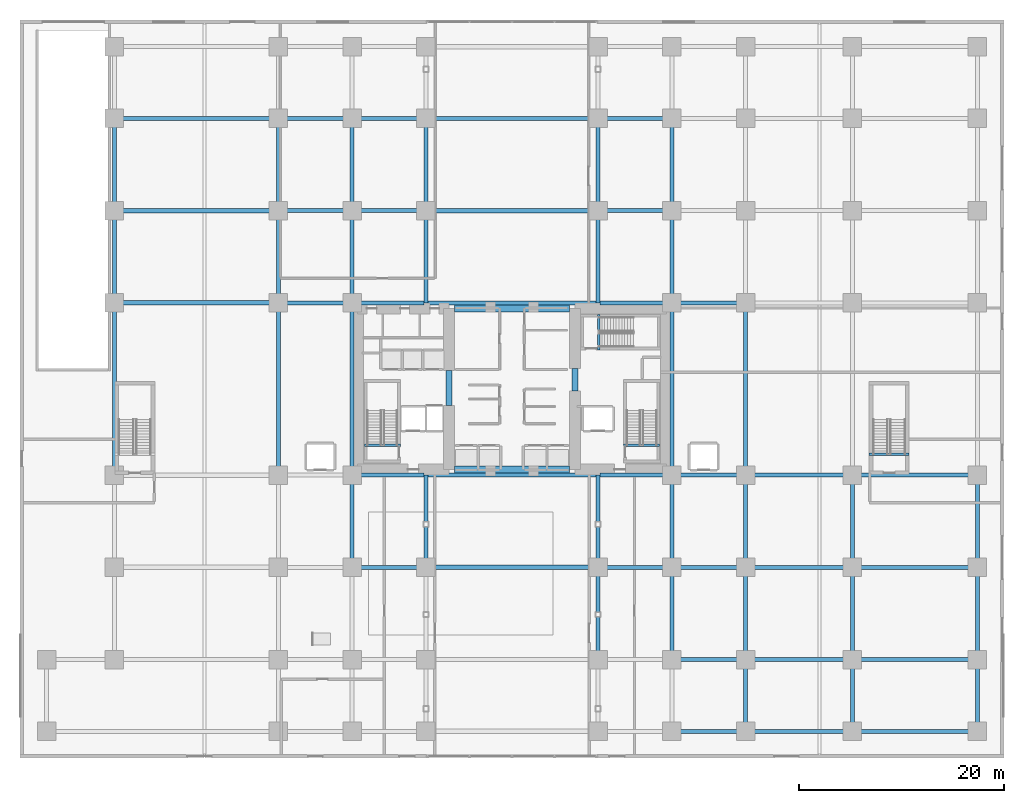
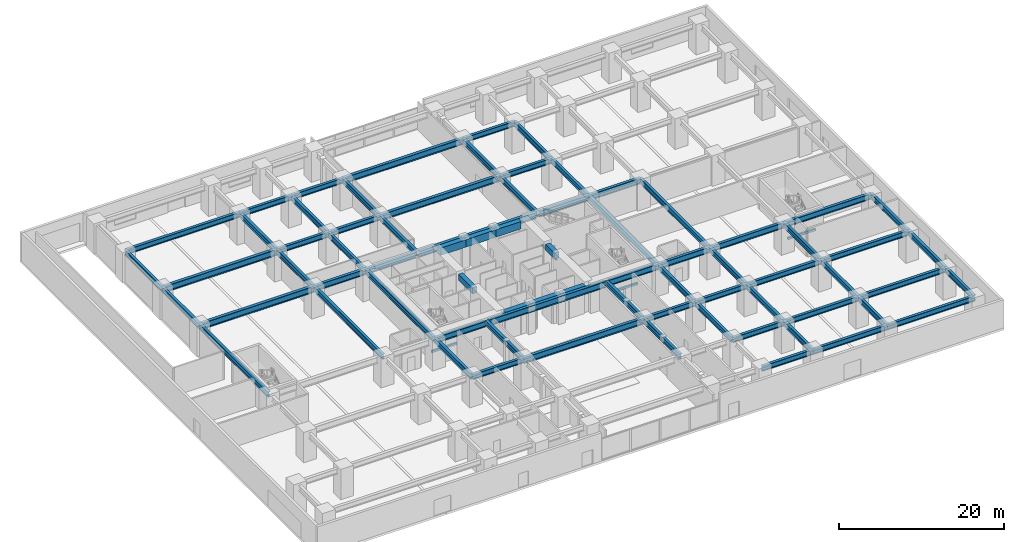
# One storey, part 8 of 26: 78 beams.
"""IFC4 building model written with IfcOpenShell, lengths in metres."""

from ifc_helpers import new_model, si_unit, direction, frame, origin, origin_2d, place, context, subcontext, project, spatial, rectangle, i_section, extrude, material, material_profile, profile_set, type_object, element, save


model = new_model("IFC4")

# Units and contexts
model_context = context("Model", 3, precision=1e-05, world=origin(), true_north=direction((0.0, 1.0)))
body_context = subcontext(model_context, "Body", "Model", "MODEL_VIEW")
ifc_project = project(units=[si_unit("LENGTHUNIT", "METRE"), si_unit("AREAUNIT", "SQUARE_METRE"), si_unit("VOLUMEUNIT", "CUBIC_METRE"), si_unit("PLANEANGLEUNIT", "RADIAN"), si_unit("MASSUNIT", "GRAM", prefix="KILO")], contexts=[model_context])

# Site, building, storey
site_placement = place(None, origin())
site = spatial("IfcSite", under=ifc_project, at=site_placement, CompositionType="ELEMENT")
building_placement = place(site_placement, origin())
building = spatial("IfcBuilding", under=site, at=building_placement, Name="Kiyonajd Concourse Tower", CompositionType="ELEMENT")
storey_placement = place(building_placement, origin())
storey = spatial("IfcBuildingStorey", under=building, at=storey_placement, Name="L01", CompositionType="ELEMENT", Elevation=0.0)

# Beams
ifc_material_1 = material(Name="Steel ASTM A992 Grade 50", Category="steel")
ifc_material_profile_1 = material_profile(ifc_material_1, i_section(OverallWidth=0.423095703125, OverallDepth=0.93310546875, WebThickness=0.02392578125, FlangeThickness=0.042724609375, at=origin_2d()), Name="W920X446")
ifc_profile_set_1 = profile_set([ifc_material_profile_1], Name="Steel ASTM A992 Grade 50")
beam_type_1 = type_object("IfcBeamType", Name="BM-AUD-920A", PredefinedType="BEAM", material=ifc_profile_set_1)
for number, where, z_axis, x_axis, name in (
    (1, (9.199951171875, 44.39990234375, 3.71337890625), (1.0, 0.0, 0.0), (0.0, 1.0, 0.0), "L01 Auditorium Clear Span Girder"),
    (2, (9.199951171875, 53.39990234375, 3.71337890625), (1.0, 0.0, 0.0), (0.0, 1.0, 0.0), "L01 Auditorium Clear Span Girder"),
):
    element("IfcBeam", number, at=place(storey_placement, frame(where, z_axis=z_axis, x_axis=x_axis)), inside=storey, type_object=beam_type_1, Name=name, PredefinedType="BEAM", context=body_context, shape_type="SweptSolid", body=[
        extrude(i_section(OverallWidth=0.423095703125, OverallDepth=0.93310546875, WebThickness=0.02392578125, FlangeThickness=0.042724609375, at=origin_2d()), origin(), (0.0, 0.0, 1.0), 16.0),
    ])
ifc_material_profile_2 = material_profile(ifc_material_1, i_section(OverallWidth=0.41796875, OverallDepth=0.912109375, WebThickness=0.019287109375, FlangeThickness=0.031982421875, at=origin_2d()), Name="W920X342")
ifc_profile_set_2 = profile_set([ifc_material_profile_2], Name="Steel ASTM A992 Grade 50")
beam_type_2 = type_object("IfcBeamType", Name="BM-CON-920B", PredefinedType="BEAM", material=ifc_profile_set_2)
beam_1_placement = place(storey_placement, frame((39.60009765625, 18.60009765625, 3.72412109375), z_axis=(1.0, 0.0, 0.0), x_axis=(0.0, 1.0, 0.0)))
element("IfcBeam", 3, at=beam_1_placement, inside=storey, type_object=beam_type_2, Name="L01 Concourse Clear Span Girder", PredefinedType="BEAM", context=body_context, shape_type="SweptSolid", body=[
    extrude(i_section(OverallWidth=0.41796875, OverallDepth=0.912109375, WebThickness=0.019287109375, FlangeThickness=0.031982421875, at=origin_2d()), origin(), (0.0, 0.0, 1.0), 16.7998046875),
])
for number, where, z_axis, x_axis, name in (
    (4, (39.79052734375, 27.60009765625, 3.72412109375), (1.0, 0.0, 0.0), (0.0, 1.0, 0.0), "L01 Concourse Clear Span Girder"),
    (5, (39.79052734375, 44.39990234375, 3.72412109375), (1.0, 0.0, 0.0), (0.0, 1.0, 0.0), "L01 Concourse Clear Span Girder"),
):
    element("IfcBeam", number, at=place(storey_placement, frame(where, z_axis=z_axis, x_axis=x_axis)), inside=storey, type_object=beam_type_2, Name=name, PredefinedType="BEAM", context=body_context, shape_type="SweptSolid", body=[
        extrude(i_section(OverallWidth=0.41796875, OverallDepth=0.912109375, WebThickness=0.019287109375, FlangeThickness=0.031982421875, at=origin_2d()), origin(), (0.0, 0.0, 1.0), 16.4189453125),
    ])
for number, where, z_axis, x_axis, name in (
    (6, (39.60009765625, 53.39990234375, 3.72412109375), (1.0, 0.0, 0.0), (0.0, 1.0, 0.0), "L01 Concourse Clear Span Girder"),
    (7, (39.60009765625, 62.39990234375, 3.72412109375), (1.0, 0.0, 0.0), (0.0, 1.0, 0.0), "L01 Concourse Clear Span Girder"),
):
    element("IfcBeam", number, at=place(storey_placement, frame(where, z_axis=z_axis, x_axis=x_axis)), inside=storey, type_object=beam_type_2, Name=name, PredefinedType="BEAM", context=body_context, shape_type="SweptSolid", body=[
        extrude(i_section(OverallWidth=0.41796875, OverallDepth=0.912109375, WebThickness=0.019287109375, FlangeThickness=0.031982421875, at=origin_2d()), origin(), (0.0, 0.0, 1.0), 16.7998046875),
    ])
ifc_material_2 = material(Name="Concrete C70/85", Category="concrete")
ifc_material_profile_3 = material_profile(ifc_material_2, rectangle(XDim=0.699951171875, YDim=1.10009765625, at=origin_2d()), Name="RCBM-700x1100")
ifc_profile_set_3 = profile_set([ifc_material_profile_3], Name="Concrete C70/85")
beam_type_3 = type_object("IfcBeamType", Name="BM-COUP-1100", PredefinedType="LINTEL", material=ifc_profile_set_3)
beam_2_placement = place(storey_placement, frame((42.39990234375, 28.14990234375, 3.6298828125), z_axis=(1.0, 0.0, 0.0), x_axis=(0.0, 1.0, 0.0)))
element("IfcBeam", 8, at=beam_2_placement, inside=storey, type_object=beam_type_3, Name="L01 Core Coupling Beam S1", PredefinedType="LINTEL", context=body_context, shape_type="SweptSolid", body=[
    extrude(rectangle(XDim=0.699951171875, YDim=1.10009765625, at=origin_2d()), origin(), (0.0, 0.0, 1.0), 3.5),
])
beam_3_placement = place(storey_placement, frame((45.89990234375, 28.14990234375, 3.6298828125), z_axis=(1.0, 0.0, 0.0), x_axis=(0.0, 1.0, 0.0)))
element("IfcBeam", 9, at=beam_3_placement, inside=storey, type_object=beam_type_3, Name="L01 Core Coupling Beam S2", PredefinedType="LINTEL", context=body_context, shape_type="SweptSolid", body=[
    extrude(rectangle(XDim=0.699951171875, YDim=1.10009765625, at=origin_2d()), origin(), (0.0, 0.0, 1.0), 4.2001953125),
])
for number, where, z_axis, x_axis, name in (
    (10, (50.10009765625, 28.14990234375, 3.6298828125), (1.0, 0.0, 0.0), (0.0, 1.0, 0.0), "L01 Core Coupling Beam S3"),
    (11, (42.39990234375, 43.85009765625, 3.6298828125), (1.0, 0.0, 0.0), (0.0, 1.0, 0.0), "L01 Core Coupling Beam N1"),
):
    element("IfcBeam", number, at=place(storey_placement, frame(where, z_axis=z_axis, x_axis=x_axis)), inside=storey, type_object=beam_type_3, Name=name, PredefinedType="LINTEL", context=body_context, shape_type="SweptSolid", body=[
        extrude(rectangle(XDim=0.699951171875, YDim=1.10009765625, at=origin_2d()), origin(), (0.0, 0.0, 1.0), 3.5),
    ])
beam_4_placement = place(storey_placement, frame((45.89990234375, 43.85009765625, 3.6298828125), z_axis=(1.0, 0.0, 0.0), x_axis=(0.0, 1.0, 0.0)))
element("IfcBeam", 12, at=beam_4_placement, inside=storey, type_object=beam_type_3, Name="L01 Core Coupling Beam N2", PredefinedType="LINTEL", context=body_context, shape_type="SweptSolid", body=[
    extrude(rectangle(XDim=0.699951171875, YDim=1.10009765625, at=origin_2d()), origin(), (0.0, 0.0, 1.0), 4.2001953125),
])
beam_5_placement = place(storey_placement, frame((50.10009765625, 43.85009765625, 3.6298828125), z_axis=(1.0, 0.0, 0.0), x_axis=(0.0, 1.0, 0.0)))
element("IfcBeam", 13, at=beam_5_placement, inside=storey, type_object=beam_type_3, Name="L01 Core Coupling Beam N3", PredefinedType="LINTEL", context=body_context, shape_type="SweptSolid", body=[
    extrude(rectangle(XDim=0.699951171875, YDim=1.10009765625, at=origin_2d()), origin(), (0.0, 0.0, 1.0), 3.5),
])
ifc_material_3 = material(Name="Concrete C60/75", Category="concrete")
ifc_material_profile_4 = material_profile(ifc_material_3, rectangle(XDim=0.60009765625, YDim=0.89990234375, at=origin_2d()), Name="RCBM-600x900")
ifc_profile_set_4 = profile_set([ifc_material_profile_4], Name="Concrete C60/75")
beam_type_4 = type_object("IfcBeamType", Name="BM-COUP-900", PredefinedType="LINTEL", material=ifc_profile_set_4)
beam_6_placement = place(storey_placement, frame((41.85009765625, 34.39990234375, 3.6298828125), z_axis=(0.0, 1.0, 0.0), x_axis=(-1.0, 0.0, 0.0)))
element("IfcBeam", 14, at=beam_6_placement, inside=storey, type_object=beam_type_4, Name="L01 West Core Throat Coupling Lintel", PredefinedType="LINTEL", context=body_context, shape_type="SweptSolid", body=[
    extrude(rectangle(XDim=0.60009765625, YDim=0.89990234375, at=origin_2d()), origin(), (0.0, 0.0, 1.0), 3.400146484375),
])
beam_7_placement = place(storey_placement, frame((54.14990234375, 35.800048828125, 3.6298828125), z_axis=(0.0, 1.0, 0.0), x_axis=(-1.0, 0.0, 0.0)))
element("IfcBeam", 15, at=beam_7_placement, inside=storey, type_object=beam_type_4, Name="L01 East Core Throat Coupling Lintel", PredefinedType="LINTEL", context=body_context, shape_type="SweptSolid", body=[
    extrude(rectangle(XDim=0.60009765625, YDim=0.89990234375, at=origin_2d()), origin(), (0.0, 0.0, 1.0), 2.199951171875),
])
ifc_material_4 = material(Name="Concrete C50/60", Category="concrete")
ifc_material_profile_5 = material_profile(ifc_material_4, rectangle(XDim=0.239990234375, YDim=0.320068359375, at=origin_2d()), Name="RCBM-240x320")
ifc_profile_set_5 = profile_set([ifc_material_profile_5], Name="Concrete C50/60")
beam_type_5 = type_object("IfcBeamType", Name="BM-LNT-250", PredefinedType="LINTEL", material=ifc_profile_set_5)
for number, where, z_axis, x_axis, name in (
    (16, (33.590087890625, 30.530029296875, -0.159912109375), (1.0, 0.0, 0.0), (0.0, 1.0, 0.0), "L01 Stair ST1 Threshold Support Beam"),
    (17, (58.889892578125, 30.530029296875, -0.159912109375), (1.0, 0.0, 0.0), (0.0, 1.0, 0.0), "L01 Stair ST2 Threshold Support Beam"),
):
    element("IfcBeam", number, at=place(storey_placement, frame(where, z_axis=z_axis, x_axis=x_axis)), inside=storey, type_object=beam_type_5, Name=name, PredefinedType="LINTEL", context=body_context, shape_type="SweptSolid", body=[
        extrude(rectangle(XDim=0.239990234375, YDim=0.320068359375, at=origin_2d()), origin(), (0.0, 0.0, 1.0), 3.52001953125),
    ])
beam_8_placement = place(storey_placement, frame((56.4599609375, 39.820068359375, -0.159912109375), z_axis=(0.0, 1.0, 0.0), x_axis=(-1.0, 0.0, 0.0)))
element("IfcBeam", 18, at=beam_8_placement, inside=storey, type_object=beam_type_5, Name="L01 Stair ST3 Threshold Support Beam", PredefinedType="LINTEL", context=body_context, shape_type="SweptSolid", body=[
    extrude(rectangle(XDim=0.239990234375, YDim=0.320068359375, at=origin_2d()), origin(), (0.0, 0.0, 1.0), 3.4599609375),
])
beam_9_placement = place(storey_placement, frame((82.85009765625, 29.6298828125, -0.159912109375), z_axis=(1.0, 0.0, 0.0), x_axis=(0.0, 1.0, 0.0)))
element("IfcBeam", 19, at=beam_9_placement, inside=storey, type_object=beam_type_5, Name="L01 Stair ST5 Threshold Support Beam", PredefinedType="LINTEL", context=body_context, shape_type="SweptSolid", body=[
    extrude(rectangle(XDim=0.239990234375, YDim=0.320068359375, at=origin_2d()), origin(), (0.0, 0.0, 1.0), 3.89990234375),
])
ifc_material_profile_6 = material_profile(ifc_material_1, i_section(OverallWidth=0.381103515625, OverallDepth=0.77294921875, WebThickness=0.0166015625, FlangeThickness=0.027099609375, at=origin_2d()), Name="W760X257")
ifc_profile_set_6 = profile_set([ifc_material_profile_6], Name="Steel ASTM A992 Grade 50")
beam_type_6 = type_object("IfcBeamType", Name="BM-POD-760", PredefinedType="BEAM", material=ifc_profile_set_6)
beam_10_placement = place(storey_placement, frame((63.60009765625, 2.60009765625, 3.79345703125), z_axis=(1.0, 0.0, 0.0), x_axis=(0.0, 1.0, 0.0)))
element("IfcBeam", 20, at=beam_10_placement, inside=storey, type_object=beam_type_6, Name="L01 Podium Primary Beam", PredefinedType="BEAM", context=body_context, shape_type="SweptSolid", body=[
    extrude(i_section(OverallWidth=0.381103515625, OverallDepth=0.77294921875, WebThickness=0.0166015625, FlangeThickness=0.027099609375, at=origin_2d()), origin(), (0.0, 0.0, 1.0), 7.199951171875),
])
beam_11_placement = place(storey_placement, frame((70.800048828125, 2.60009765625, 3.79345703125), z_axis=(1.0, 0.0, 0.0), x_axis=(0.0, 1.0, 0.0)))
element("IfcBeam", 21, at=beam_11_placement, inside=storey, type_object=beam_type_6, Name="L01 Podium Primary Beam", PredefinedType="BEAM", context=body_context, shape_type="SweptSolid", body=[
    extrude(i_section(OverallWidth=0.381103515625, OverallDepth=0.77294921875, WebThickness=0.0166015625, FlangeThickness=0.027099609375, at=origin_2d()), origin(), (0.0, 0.0, 1.0), 10.39990234375),
])
beam_12_placement = place(storey_placement, frame((81.199951171875, 2.60009765625, 3.79345703125), z_axis=(1.0, 0.0, 0.0), x_axis=(0.0, 1.0, 0.0)))
element("IfcBeam", 22, at=beam_12_placement, inside=storey, type_object=beam_type_6, Name="L01 Podium Primary Beam", PredefinedType="BEAM", context=body_context, shape_type="SweptSolid", body=[
    extrude(i_section(OverallWidth=0.381103515625, OverallDepth=0.77294921875, WebThickness=0.0166015625, FlangeThickness=0.027099609375, at=origin_2d()), origin(), (0.0, 0.0, 1.0), 12.199951171875),
])
beam_13_placement = place(storey_placement, frame((63.60009765625, 9.60009765625, 3.79345703125), z_axis=(1.0, 0.0, 0.0), x_axis=(0.0, 1.0, 0.0)))
element("IfcBeam", 23, at=beam_13_placement, inside=storey, type_object=beam_type_6, Name="L01 Podium Primary Beam", PredefinedType="BEAM", context=body_context, shape_type="SweptSolid", body=[
    extrude(i_section(OverallWidth=0.381103515625, OverallDepth=0.77294921875, WebThickness=0.0166015625, FlangeThickness=0.027099609375, at=origin_2d()), origin(), (0.0, 0.0, 1.0), 7.199951171875),
])
beam_14_placement = place(storey_placement, frame((70.800048828125, 9.60009765625, 3.79345703125), z_axis=(1.0, 0.0, 0.0), x_axis=(0.0, 1.0, 0.0)))
element("IfcBeam", 24, at=beam_14_placement, inside=storey, type_object=beam_type_6, Name="L01 Podium Primary Beam", PredefinedType="BEAM", context=body_context, shape_type="SweptSolid", body=[
    extrude(i_section(OverallWidth=0.381103515625, OverallDepth=0.77294921875, WebThickness=0.0166015625, FlangeThickness=0.027099609375, at=origin_2d()), origin(), (0.0, 0.0, 1.0), 10.39990234375),
])
beam_15_placement = place(storey_placement, frame((81.199951171875, 9.60009765625, 3.79345703125), z_axis=(1.0, 0.0, 0.0), x_axis=(0.0, 1.0, 0.0)))
element("IfcBeam", 25, at=beam_15_placement, inside=storey, type_object=beam_type_6, Name="L01 Podium Primary Beam", PredefinedType="BEAM", context=body_context, shape_type="SweptSolid", body=[
    extrude(i_section(OverallWidth=0.381103515625, OverallDepth=0.77294921875, WebThickness=0.0166015625, FlangeThickness=0.027099609375, at=origin_2d()), origin(), (0.0, 0.0, 1.0), 12.199951171875),
])
for number, where, z_axis, x_axis, name in (
    (26, (32.39990234375, 18.60009765625, 3.79345703125), (1.0, 0.0, 0.0), (0.0, 1.0, 0.0), "L01 Podium Primary Beam"),
    (27, (56.39990234375, 18.60009765625, 3.79345703125), (1.0, 0.0, 0.0), (0.0, 1.0, 0.0), "L01 Podium Primary Beam"),
):
    element("IfcBeam", number, at=place(storey_placement, frame(where, z_axis=z_axis, x_axis=x_axis)), inside=storey, type_object=beam_type_6, Name=name, PredefinedType="BEAM", context=body_context, shape_type="SweptSolid", body=[
        extrude(i_section(OverallWidth=0.381103515625, OverallDepth=0.77294921875, WebThickness=0.0166015625, FlangeThickness=0.027099609375, at=origin_2d()), origin(), (0.0, 0.0, 1.0), 7.2001953125),
    ])
beam_16_placement = place(storey_placement, frame((63.60009765625, 18.60009765625, 3.79345703125), z_axis=(1.0, 0.0, 0.0), x_axis=(0.0, 1.0, 0.0)))
element("IfcBeam", 28, at=beam_16_placement, inside=storey, type_object=beam_type_6, Name="L01 Podium Primary Beam", PredefinedType="BEAM", context=body_context, shape_type="SweptSolid", body=[
    extrude(i_section(OverallWidth=0.381103515625, OverallDepth=0.77294921875, WebThickness=0.0166015625, FlangeThickness=0.027099609375, at=origin_2d()), origin(), (0.0, 0.0, 1.0), 7.199951171875),
])
beam_17_placement = place(storey_placement, frame((70.800048828125, 18.60009765625, 3.79345703125), z_axis=(1.0, 0.0, 0.0), x_axis=(0.0, 1.0, 0.0)))
element("IfcBeam", 29, at=beam_17_placement, inside=storey, type_object=beam_type_6, Name="L01 Podium Primary Beam", PredefinedType="BEAM", context=body_context, shape_type="SweptSolid", body=[
    extrude(i_section(OverallWidth=0.381103515625, OverallDepth=0.77294921875, WebThickness=0.0166015625, FlangeThickness=0.027099609375, at=origin_2d()), origin(), (0.0, 0.0, 1.0), 10.39990234375),
])
beam_18_placement = place(storey_placement, frame((81.199951171875, 18.60009765625, 3.79345703125), z_axis=(1.0, 0.0, 0.0), x_axis=(0.0, 1.0, 0.0)))
element("IfcBeam", 30, at=beam_18_placement, inside=storey, type_object=beam_type_6, Name="L01 Podium Primary Beam", PredefinedType="BEAM", context=body_context, shape_type="SweptSolid", body=[
    extrude(i_section(OverallWidth=0.381103515625, OverallDepth=0.77294921875, WebThickness=0.0166015625, FlangeThickness=0.027099609375, at=origin_2d()), origin(), (0.0, 0.0, 1.0), 12.199951171875),
])
beam_19_placement = place(storey_placement, frame((25.199951171875, 53.39990234375, 3.79345703125), z_axis=(1.0, 0.0, 0.0), x_axis=(0.0, 1.0, 0.0)))
element("IfcBeam", 31, at=beam_19_placement, inside=storey, type_object=beam_type_6, Name="L01 Podium Primary Beam", PredefinedType="BEAM", context=body_context, shape_type="SweptSolid", body=[
    extrude(i_section(OverallWidth=0.381103515625, OverallDepth=0.77294921875, WebThickness=0.0166015625, FlangeThickness=0.027099609375, at=origin_2d()), origin(), (0.0, 0.0, 1.0), 7.199951171875),
])
for number, where, z_axis, x_axis, name in (
    (32, (32.39990234375, 53.39990234375, 3.79345703125), (1.0, 0.0, 0.0), (0.0, 1.0, 0.0), "L01 Podium Primary Beam"),
    (33, (56.39990234375, 53.39990234375, 3.79345703125), (1.0, 0.0, 0.0), (0.0, 1.0, 0.0), "L01 Podium Primary Beam"),
):
    element("IfcBeam", number, at=place(storey_placement, frame(where, z_axis=z_axis, x_axis=x_axis)), inside=storey, type_object=beam_type_6, Name=name, PredefinedType="BEAM", context=body_context, shape_type="SweptSolid", body=[
        extrude(i_section(OverallWidth=0.381103515625, OverallDepth=0.77294921875, WebThickness=0.0166015625, FlangeThickness=0.027099609375, at=origin_2d()), origin(), (0.0, 0.0, 1.0), 7.2001953125),
    ])
beam_20_placement = place(storey_placement, frame((9.199951171875, 62.39990234375, 3.79345703125), z_axis=(1.0, 0.0, 0.0), x_axis=(0.0, 1.0, 0.0)))
element("IfcBeam", 34, at=beam_20_placement, inside=storey, type_object=beam_type_6, Name="L01 Podium Primary Beam", PredefinedType="BEAM", context=body_context, shape_type="SweptSolid", body=[
    extrude(i_section(OverallWidth=0.381103515625, OverallDepth=0.77294921875, WebThickness=0.0166015625, FlangeThickness=0.027099609375, at=origin_2d()), origin(), (0.0, 0.0, 1.0), 16.0),
])
beam_21_placement = place(storey_placement, frame((25.199951171875, 62.39990234375, 3.79345703125), z_axis=(1.0, 0.0, 0.0), x_axis=(0.0, 1.0, 0.0)))
element("IfcBeam", 35, at=beam_21_placement, inside=storey, type_object=beam_type_6, Name="L01 Podium Primary Beam", PredefinedType="BEAM", context=body_context, shape_type="SweptSolid", body=[
    extrude(i_section(OverallWidth=0.381103515625, OverallDepth=0.77294921875, WebThickness=0.0166015625, FlangeThickness=0.027099609375, at=origin_2d()), origin(), (0.0, 0.0, 1.0), 7.199951171875),
])
for number, where, z_axis, x_axis, name in (
    (36, (32.39990234375, 62.39990234375, 3.79345703125), (1.0, 0.0, 0.0), (0.0, 1.0, 0.0), "L01 Podium Primary Beam"),
    (37, (56.39990234375, 62.39990234375, 3.79345703125), (1.0, 0.0, 0.0), (0.0, 1.0, 0.0), "L01 Podium Primary Beam"),
):
    element("IfcBeam", number, at=place(storey_placement, frame(where, z_axis=z_axis, x_axis=x_axis)), inside=storey, type_object=beam_type_6, Name=name, PredefinedType="BEAM", context=body_context, shape_type="SweptSolid", body=[
        extrude(i_section(OverallWidth=0.381103515625, OverallDepth=0.77294921875, WebThickness=0.0166015625, FlangeThickness=0.027099609375, at=origin_2d()), origin(), (0.0, 0.0, 1.0), 7.2001953125),
    ])
beam_22_placement = place(storey_placement, frame((9.199951171875, 27.60009765625, 3.79345703125), z_axis=(0.0, 1.0, 0.0), x_axis=(-1.0, 0.0, 0.0)))
element("IfcBeam", 38, at=beam_22_placement, inside=storey, type_object=beam_type_6, Name="L01 Podium North South Beam", PredefinedType="BEAM", context=body_context, shape_type="SweptSolid", body=[
    extrude(i_section(OverallWidth=0.381103515625, OverallDepth=0.77294921875, WebThickness=0.0166015625, FlangeThickness=0.027099609375, at=origin_2d()), origin(), (0.0, 0.0, 1.0), 16.7998046875),
])
for number, where, z_axis, x_axis, name in (
    (39, (9.199951171875, 44.39990234375, 3.79345703125), (0.0, 1.0, 0.0), (-1.0, 0.0, 0.0), "L01 Podium North South Beam"),
    (40, (9.199951171875, 53.39990234375, 3.79345703125), (0.0, 1.0, 0.0), (-1.0, 0.0, 0.0), "L01 Podium North South Beam"),
):
    element("IfcBeam", number, at=place(storey_placement, frame(where, z_axis=z_axis, x_axis=x_axis)), inside=storey, type_object=beam_type_6, Name=name, PredefinedType="BEAM", context=body_context, shape_type="SweptSolid", body=[
        extrude(i_section(OverallWidth=0.381103515625, OverallDepth=0.77294921875, WebThickness=0.0166015625, FlangeThickness=0.027099609375, at=origin_2d()), origin(), (0.0, 0.0, 1.0), 9.0),
    ])
beam_23_placement = place(storey_placement, frame((25.199951171875, 27.60009765625, 3.79345703125), z_axis=(0.0, 1.0, 0.0), x_axis=(-1.0, 0.0, 0.0)))
element("IfcBeam", 41, at=beam_23_placement, inside=storey, type_object=beam_type_6, Name="L01 Podium North South Beam", PredefinedType="BEAM", context=body_context, shape_type="SweptSolid", body=[
    extrude(i_section(OverallWidth=0.381103515625, OverallDepth=0.77294921875, WebThickness=0.0166015625, FlangeThickness=0.027099609375, at=origin_2d()), origin(), (0.0, 0.0, 1.0), 16.7998046875),
])
for number, where, z_axis, x_axis, name in (
    (42, (25.199951171875, 44.39990234375, 3.79345703125), (0.0, 1.0, 0.0), (-1.0, 0.0, 0.0), "L01 Podium North South Beam"),
    (43, (25.199951171875, 53.39990234375, 3.79345703125), (0.0, 1.0, 0.0), (-1.0, 0.0, 0.0), "L01 Podium North South Beam"),
    (44, (32.39990234375, 18.60009765625, 3.79345703125), (0.0, 1.0, 0.0), (-1.0, 0.0, 0.0), "L01 Podium North South Beam"),
):
    element("IfcBeam", number, at=place(storey_placement, frame(where, z_axis=z_axis, x_axis=x_axis)), inside=storey, type_object=beam_type_6, Name=name, PredefinedType="BEAM", context=body_context, shape_type="SweptSolid", body=[
        extrude(i_section(OverallWidth=0.381103515625, OverallDepth=0.77294921875, WebThickness=0.0166015625, FlangeThickness=0.027099609375, at=origin_2d()), origin(), (0.0, 0.0, 1.0), 9.0),
    ])
beam_24_placement = place(storey_placement, frame((32.39990234375, 27.60009765625, 3.79345703125), z_axis=(0.0, 1.0, 0.0), x_axis=(-1.0, 0.0, 0.0)))
element("IfcBeam", 45, at=beam_24_placement, inside=storey, type_object=beam_type_6, Name="L01 Podium North South Beam", PredefinedType="BEAM", context=body_context, shape_type="SweptSolid", body=[
    extrude(i_section(OverallWidth=0.381103515625, OverallDepth=0.77294921875, WebThickness=0.0166015625, FlangeThickness=0.027099609375, at=origin_2d()), origin(), (0.0, 0.0, 1.0), 16.7998046875),
])
for number, where, z_axis, x_axis, name in (
    (46, (32.39990234375, 44.39990234375, 3.79345703125), (0.0, 1.0, 0.0), (-1.0, 0.0, 0.0), "L01 Podium North South Beam"),
    (47, (32.39990234375, 53.39990234375, 3.79345703125), (0.0, 1.0, 0.0), (-1.0, 0.0, 0.0), "L01 Podium North South Beam"),
    (48, (39.60009765625, 18.60009765625, 3.79345703125), (0.0, 1.0, 0.0), (-1.0, 0.0, 0.0), "L01 Podium North South Beam"),
    (49, (39.60009765625, 44.39990234375, 3.79345703125), (0.0, 1.0, 0.0), (-1.0, 0.0, 0.0), "L01 Podium North South Beam"),
    (50, (39.60009765625, 53.39990234375, 3.79345703125), (0.0, 1.0, 0.0), (-1.0, 0.0, 0.0), "L01 Podium North South Beam"),
    (51, (56.39990234375, 9.60009765625, 3.79345703125), (0.0, 1.0, 0.0), (-1.0, 0.0, 0.0), "L01 Podium North South Beam"),
    (52, (56.39990234375, 18.60009765625, 3.79345703125), (0.0, 1.0, 0.0), (-1.0, 0.0, 0.0), "L01 Podium North South Beam"),
    (53, (56.39990234375, 44.39990234375, 3.79345703125), (0.0, 1.0, 0.0), (-1.0, 0.0, 0.0), "L01 Podium North South Beam"),
    (54, (56.39990234375, 53.39990234375, 3.79345703125), (0.0, 1.0, 0.0), (-1.0, 0.0, 0.0), "L01 Podium North South Beam"),
    (55, (63.60009765625, 9.60009765625, 3.79345703125), (0.0, 1.0, 0.0), (-1.0, 0.0, 0.0), "L01 Podium North South Beam"),
    (56, (63.60009765625, 18.60009765625, 3.79345703125), (0.0, 1.0, 0.0), (-1.0, 0.0, 0.0), "L01 Podium North South Beam"),
):
    element("IfcBeam", number, at=place(storey_placement, frame(where, z_axis=z_axis, x_axis=x_axis)), inside=storey, type_object=beam_type_6, Name=name, PredefinedType="BEAM", context=body_context, shape_type="SweptSolid", body=[
        extrude(i_section(OverallWidth=0.381103515625, OverallDepth=0.77294921875, WebThickness=0.0166015625, FlangeThickness=0.027099609375, at=origin_2d()), origin(), (0.0, 0.0, 1.0), 9.0),
    ])
beam_25_placement = place(storey_placement, frame((63.60009765625, 27.60009765625, 3.79345703125), z_axis=(0.0, 1.0, 0.0), x_axis=(-1.0, 0.0, 0.0)))
element("IfcBeam", 57, at=beam_25_placement, inside=storey, type_object=beam_type_6, Name="L01 Podium North South Beam", PredefinedType="BEAM", context=body_context, shape_type="SweptSolid", body=[
    extrude(i_section(OverallWidth=0.381103515625, OverallDepth=0.77294921875, WebThickness=0.0166015625, FlangeThickness=0.027099609375, at=origin_2d()), origin(), (0.0, 0.0, 1.0), 16.7998046875),
])
for number, where, z_axis, x_axis, name in (
    (58, (63.60009765625, 44.39990234375, 3.79345703125), (0.0, 1.0, 0.0), (-1.0, 0.0, 0.0), "L01 Podium North South Beam"),
    (59, (63.60009765625, 53.39990234375, 3.79345703125), (0.0, 1.0, 0.0), (-1.0, 0.0, 0.0), "L01 Podium North South Beam"),
):
    element("IfcBeam", number, at=place(storey_placement, frame(where, z_axis=z_axis, x_axis=x_axis)), inside=storey, type_object=beam_type_6, Name=name, PredefinedType="BEAM", context=body_context, shape_type="SweptSolid", body=[
        extrude(i_section(OverallWidth=0.381103515625, OverallDepth=0.77294921875, WebThickness=0.0166015625, FlangeThickness=0.027099609375, at=origin_2d()), origin(), (0.0, 0.0, 1.0), 9.0),
    ])
beam_26_placement = place(storey_placement, frame((70.800048828125, 2.60009765625, 3.79345703125), z_axis=(0.0, 1.0, 0.0), x_axis=(-1.0, 0.0, 0.0)))
element("IfcBeam", 60, at=beam_26_placement, inside=storey, type_object=beam_type_6, Name="L01 Podium North South Beam", PredefinedType="BEAM", context=body_context, shape_type="SweptSolid", body=[
    extrude(i_section(OverallWidth=0.381103515625, OverallDepth=0.77294921875, WebThickness=0.0166015625, FlangeThickness=0.027099609375, at=origin_2d()), origin(), (0.0, 0.0, 1.0), 7.0),
])
for number, where, z_axis, x_axis, name in (
    (61, (70.800048828125, 9.60009765625, 3.79345703125), (0.0, 1.0, 0.0), (-1.0, 0.0, 0.0), "L01 Podium North South Beam"),
    (62, (70.800048828125, 18.60009765625, 3.79345703125), (0.0, 1.0, 0.0), (-1.0, 0.0, 0.0), "L01 Podium North South Beam"),
):
    element("IfcBeam", number, at=place(storey_placement, frame(where, z_axis=z_axis, x_axis=x_axis)), inside=storey, type_object=beam_type_6, Name=name, PredefinedType="BEAM", context=body_context, shape_type="SweptSolid", body=[
        extrude(i_section(OverallWidth=0.381103515625, OverallDepth=0.77294921875, WebThickness=0.0166015625, FlangeThickness=0.027099609375, at=origin_2d()), origin(), (0.0, 0.0, 1.0), 9.0),
    ])
beam_27_placement = place(storey_placement, frame((70.800048828125, 27.60009765625, 3.79345703125), z_axis=(0.0, 1.0, 0.0), x_axis=(-1.0, 0.0, 0.0)))
element("IfcBeam", 63, at=beam_27_placement, inside=storey, type_object=beam_type_6, Name="L01 Podium North South Beam", PredefinedType="BEAM", context=body_context, shape_type="SweptSolid", body=[
    extrude(i_section(OverallWidth=0.381103515625, OverallDepth=0.77294921875, WebThickness=0.0166015625, FlangeThickness=0.027099609375, at=origin_2d()), origin(), (0.0, 0.0, 1.0), 16.7998046875),
])
beam_28_placement = place(storey_placement, frame((81.199951171875, 2.60009765625, 3.79345703125), z_axis=(0.0, 1.0, 0.0), x_axis=(-1.0, 0.0, 0.0)))
element("IfcBeam", 64, at=beam_28_placement, inside=storey, type_object=beam_type_6, Name="L01 Podium North South Beam", PredefinedType="BEAM", context=body_context, shape_type="SweptSolid", body=[
    extrude(i_section(OverallWidth=0.381103515625, OverallDepth=0.77294921875, WebThickness=0.0166015625, FlangeThickness=0.027099609375, at=origin_2d()), origin(), (0.0, 0.0, 1.0), 7.0),
])
for number, where, z_axis, x_axis, name in (
    (65, (81.199951171875, 9.60009765625, 3.79345703125), (0.0, 1.0, 0.0), (-1.0, 0.0, 0.0), "L01 Podium North South Beam"),
    (66, (81.199951171875, 18.60009765625, 3.79345703125), (0.0, 1.0, 0.0), (-1.0, 0.0, 0.0), "L01 Podium North South Beam"),
):
    element("IfcBeam", number, at=place(storey_placement, frame(where, z_axis=z_axis, x_axis=x_axis)), inside=storey, type_object=beam_type_6, Name=name, PredefinedType="BEAM", context=body_context, shape_type="SweptSolid", body=[
        extrude(i_section(OverallWidth=0.381103515625, OverallDepth=0.77294921875, WebThickness=0.0166015625, FlangeThickness=0.027099609375, at=origin_2d()), origin(), (0.0, 0.0, 1.0), 9.0),
    ])
beam_29_placement = place(storey_placement, frame((93.39990234375, 2.60009765625, 3.79345703125), z_axis=(0.0, 1.0, 0.0), x_axis=(-1.0, 0.0, 0.0)))
element("IfcBeam", 67, at=beam_29_placement, inside=storey, type_object=beam_type_6, Name="L01 Podium North South Beam", PredefinedType="BEAM", context=body_context, shape_type="SweptSolid", body=[
    extrude(i_section(OverallWidth=0.381103515625, OverallDepth=0.77294921875, WebThickness=0.0166015625, FlangeThickness=0.027099609375, at=origin_2d()), origin(), (0.0, 0.0, 1.0), 7.0),
])
for number, where, z_axis, x_axis, name in (
    (68, (93.39990234375, 9.60009765625, 3.79345703125), (0.0, 1.0, 0.0), (-1.0, 0.0, 0.0), "L01 Podium North South Beam"),
    (69, (93.39990234375, 18.60009765625, 3.79345703125), (0.0, 1.0, 0.0), (-1.0, 0.0, 0.0), "L01 Podium North South Beam"),
):
    element("IfcBeam", number, at=place(storey_placement, frame(where, z_axis=z_axis, x_axis=x_axis)), inside=storey, type_object=beam_type_6, Name=name, PredefinedType="BEAM", context=body_context, shape_type="SweptSolid", body=[
        extrude(i_section(OverallWidth=0.381103515625, OverallDepth=0.77294921875, WebThickness=0.0166015625, FlangeThickness=0.027099609375, at=origin_2d()), origin(), (0.0, 0.0, 1.0), 9.0),
    ])
ifc_material_profile_7 = material_profile(ifc_material_1, i_section(OverallWidth=0.39990234375, OverallDepth=0.85498046875, WebThickness=0.018310546875, FlangeThickness=0.029296875, at=origin_2d()), Name="W840X299")
ifc_profile_set_7 = profile_set([ifc_material_profile_7], Name="Steel ASTM A992 Grade 50")
beam_type_7 = type_object("IfcBeamType", Name="BM-POD-840", PredefinedType="BEAM", material=ifc_profile_set_7)
for number, where, z_axis, x_axis, name in (
    (70, (32.39990234375, 27.60009765625, 3.75244140625), (1.0, 0.0, 0.0), (0.0, 1.0, 0.0), "L01 Podium Primary Beam"),
    (71, (56.590576171875, 27.60009765625, 3.75244140625), (1.0, 0.0, 0.0), (0.0, 1.0, 0.0), "L01 Podium Primary Beam"),
):
    element("IfcBeam", number, at=place(storey_placement, frame(where, z_axis=z_axis, x_axis=x_axis)), inside=storey, type_object=beam_type_7, Name=name, PredefinedType="BEAM", context=body_context, shape_type="SweptSolid", body=[
        extrude(i_section(OverallWidth=0.39990234375, OverallDepth=0.85498046875, WebThickness=0.018310546875, FlangeThickness=0.029296875, at=origin_2d()), origin(), (0.0, 0.0, 1.0), 7.009521484375),
    ])
beam_30_placement = place(storey_placement, frame((63.60009765625, 27.60009765625, 3.75244140625), z_axis=(1.0, 0.0, 0.0), x_axis=(0.0, 1.0, 0.0)))
element("IfcBeam", 72, at=beam_30_placement, inside=storey, type_object=beam_type_7, Name="L01 Podium Primary Beam", PredefinedType="BEAM", context=body_context, shape_type="SweptSolid", body=[
    extrude(i_section(OverallWidth=0.39990234375, OverallDepth=0.85498046875, WebThickness=0.018310546875, FlangeThickness=0.029296875, at=origin_2d()), origin(), (0.0, 0.0, 1.0), 7.199951171875),
])
beam_31_placement = place(storey_placement, frame((70.800048828125, 27.60009765625, 3.75244140625), z_axis=(1.0, 0.0, 0.0), x_axis=(0.0, 1.0, 0.0)))
element("IfcBeam", 73, at=beam_31_placement, inside=storey, type_object=beam_type_7, Name="L01 Podium Primary Beam", PredefinedType="BEAM", context=body_context, shape_type="SweptSolid", body=[
    extrude(i_section(OverallWidth=0.39990234375, OverallDepth=0.85498046875, WebThickness=0.018310546875, FlangeThickness=0.029296875, at=origin_2d()), origin(), (0.0, 0.0, 1.0), 10.39990234375),
])
beam_32_placement = place(storey_placement, frame((81.199951171875, 27.60009765625, 3.75244140625), z_axis=(1.0, 0.0, 0.0), x_axis=(0.0, 1.0, 0.0)))
element("IfcBeam", 74, at=beam_32_placement, inside=storey, type_object=beam_type_7, Name="L01 Podium Primary Beam", PredefinedType="BEAM", context=body_context, shape_type="SweptSolid", body=[
    extrude(i_section(OverallWidth=0.39990234375, OverallDepth=0.85498046875, WebThickness=0.018310546875, FlangeThickness=0.029296875, at=origin_2d()), origin(), (0.0, 0.0, 1.0), 12.199951171875),
])
beam_33_placement = place(storey_placement, frame((25.199951171875, 44.39990234375, 3.75244140625), z_axis=(1.0, 0.0, 0.0), x_axis=(0.0, 1.0, 0.0)))
element("IfcBeam", 75, at=beam_33_placement, inside=storey, type_object=beam_type_7, Name="L01 Podium Primary Beam", PredefinedType="BEAM", context=body_context, shape_type="SweptSolid", body=[
    extrude(i_section(OverallWidth=0.39990234375, OverallDepth=0.85498046875, WebThickness=0.018310546875, FlangeThickness=0.029296875, at=origin_2d()), origin(), (0.0, 0.0, 1.0), 7.199951171875),
])
for number, where, z_axis, x_axis, name in (
    (76, (32.39990234375, 44.39990234375, 3.75244140625), (1.0, 0.0, 0.0), (0.0, 1.0, 0.0), "L01 Podium Primary Beam"),
    (77, (56.590576171875, 44.39990234375, 3.75244140625), (1.0, 0.0, 0.0), (0.0, 1.0, 0.0), "L01 Podium Primary Beam"),
):
    element("IfcBeam", number, at=place(storey_placement, frame(where, z_axis=z_axis, x_axis=x_axis)), inside=storey, type_object=beam_type_7, Name=name, PredefinedType="BEAM", context=body_context, shape_type="SweptSolid", body=[
        extrude(i_section(OverallWidth=0.39990234375, OverallDepth=0.85498046875, WebThickness=0.018310546875, FlangeThickness=0.029296875, at=origin_2d()), origin(), (0.0, 0.0, 1.0), 7.009521484375),
    ])
beam_34_placement = place(storey_placement, frame((63.60009765625, 44.39990234375, 3.75244140625), z_axis=(1.0, 0.0, 0.0), x_axis=(0.0, 1.0, 0.0)))
element("IfcBeam", 78, at=beam_34_placement, inside=storey, type_object=beam_type_7, Name="L01 Podium Primary Beam", PredefinedType="BEAM", context=body_context, shape_type="SweptSolid", body=[
    extrude(i_section(OverallWidth=0.39990234375, OverallDepth=0.85498046875, WebThickness=0.018310546875, FlangeThickness=0.029296875, at=origin_2d()), origin(), (0.0, 0.0, 1.0), 7.199951171875),
])

save(model, "model.ifc")
